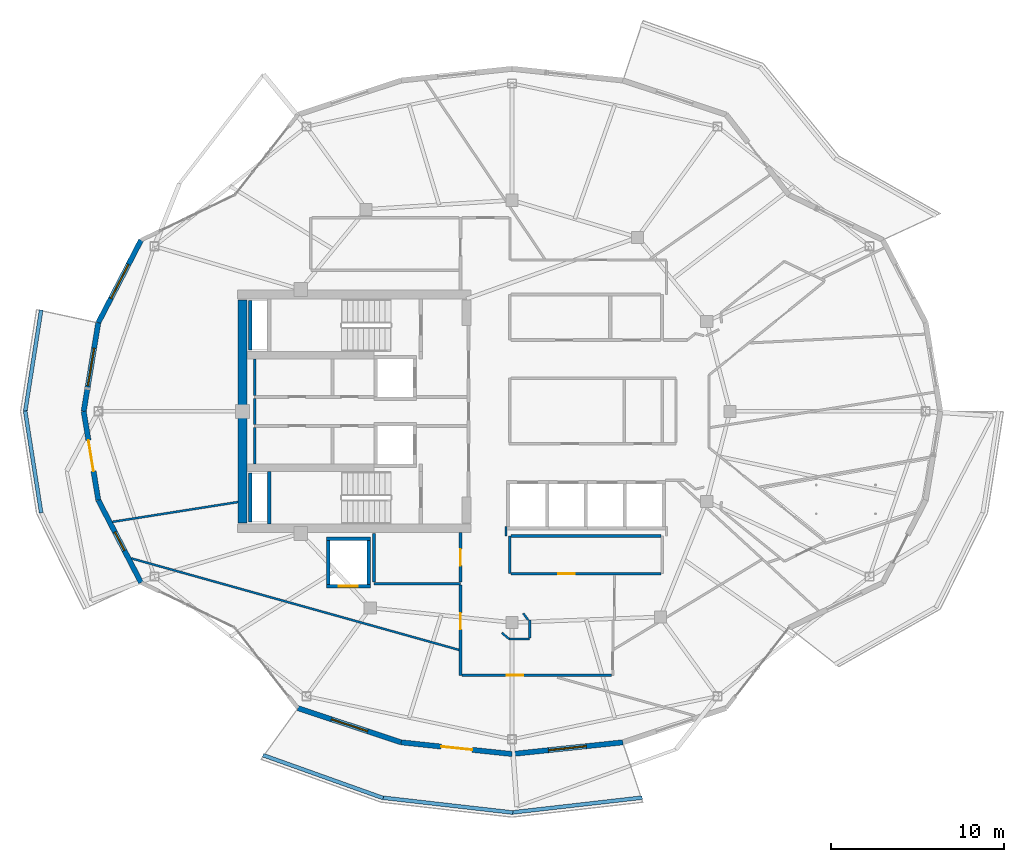
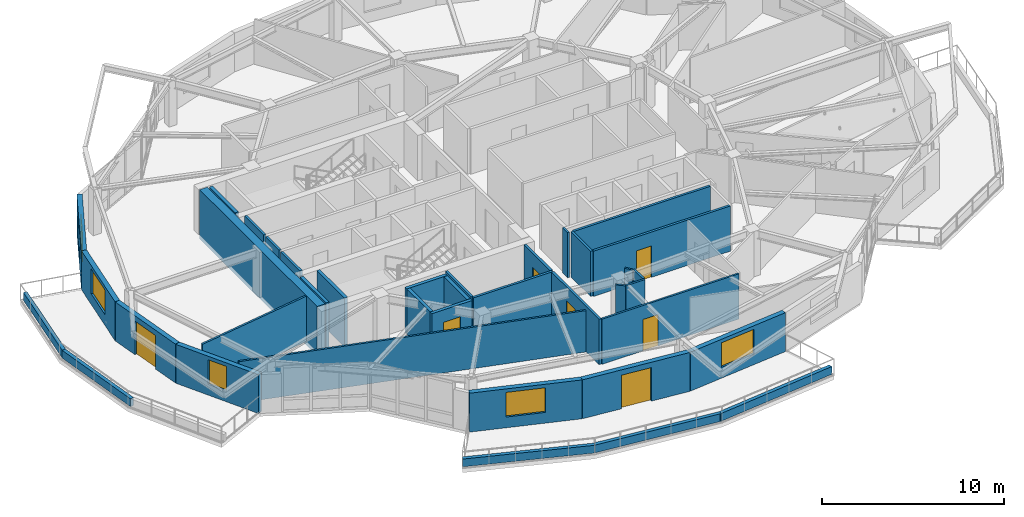
# One storey, part 7 of 16: 38 walls, 7 doors, 5 windows, 12 openings.
"""IFC4 building model written with IfcOpenShell, lengths in metres."""

from ifc_helpers import new_model, si_unit, direction, frame, frame_2d, origin, place, context, subcontext, project, spatial, rectangle, extrude, material, layer, layer_set, type_object, element, fill, save


model = new_model("IFC4")

# Units and contexts
model_context = context("Model", 3, precision=1e-05, world=origin(), true_north=direction((0.0, 1.0)))
body_context = subcontext(model_context, "Body", "Model", "MODEL_VIEW")
ifc_project = project(units=[si_unit("LENGTHUNIT", "METRE"), si_unit("AREAUNIT", "SQUARE_METRE"), si_unit("VOLUMEUNIT", "CUBIC_METRE"), si_unit("PLANEANGLEUNIT", "RADIAN"), si_unit("MASSUNIT", "GRAM", prefix="KILO")], contexts=[model_context])

# Site, building, storey
site_placement = place(None, origin())
site = spatial("IfcSite", under=ifc_project, at=site_placement, CompositionType="ELEMENT")
building_placement = place(site_placement, origin())
building = spatial("IfcBuilding", under=site, at=building_placement, Name="Kolvaren Gate Tower and Convention Centre", CompositionType="ELEMENT")
storey_placement = place(building_placement, frame((0.0, 0.0, 219.5)))
storey = spatial("IfcBuildingStorey", under=building, at=storey_placement, Name="L58", CompositionType="ELEMENT", Elevation=219.5)

# Wall
ifc_material_1 = material(Name="Fire-Rated Acoustic Gypsum Stud Partition", Category="gypsum")
ifc_layer_1 = layer(ifc_material_1, 0.1201171875)
ifc_layer_set_1 = layer_set([ifc_layer_1], Name="Fire-Rated Acoustic Gypsum Stud Partition")
wall_type_1 = type_object("IfcWallType", Name="ARCH-WL-PART-120", PredefinedType="PARTITIONING", material=ifc_layer_set_1)
wall_1_placement = place(storey_placement, frame((29.780029296875, 19.800048828125, 0.0), z_axis=(0.0, 0.0, 1.0), x_axis=(0.0, 1.0, 0.0)))
element("IfcWall", 1, at=wall_1_placement, inside=storey, type_object=wall_type_1, Name="Interior Partition WL-L58-INT-048", PredefinedType="PARTITIONING", context=body_context, shape_type="SweptSolid", body=[
    extrude(rectangle(XDim=0.56005859375, YDim=0.1201171875, at=frame_2d((0.280029296875, 0.0))), origin(), (0.0, 0.0, 1.0), 3.030029296875),
])

# Wall, opening, door
wall_2_placement = place(storey_placement, frame((27.22705078125, 11.75, 0.0), z_axis=(0.0, 0.0, 1.0), x_axis=(1.0, 0.0, 0.0)))
wall_2 = element("IfcWall", 2, at=wall_2_placement, inside=storey, type_object=wall_type_1, Name="Interior Partition WL-L58-INT-051", PredefinedType="PARTITIONING", context=body_context, shape_type="SweptSolid", body=[
    extrude(rectangle(XDim=8.660888671875, YDim=0.1201171875, at=frame_2d((4.33056640625, 0.0))), origin(), (0.0, 0.0, 1.0), 3.030029296875),
])
opening_1_placement = place(wall_2_placement, frame((2.601806640625, 0.0, 0.0)))
opening_1 = element("IfcOpeningElement", 3, at=opening_1_placement, cuts=wall_2, Name="Opening DR-01", PredefinedType="OPENING", context=body_context, shape_type="SweptSolid", body=[
    extrude(rectangle(XDim=0.949951171875, YDim=2.10009765625, at=frame_2d((0.47509765625, 1.050048828125))), frame((0.0, 0.070068359375, 0.0), z_axis=(0.0, -1.0, 0.0), x_axis=(1.0, 0.0, 0.0)), (0.0, 0.0, 1.0), 0.14013671875),
])
ifc_material_2 = material(Name="Painted Architectural Steelwork ASTM A500 Grade C 345 MPa", Category="steel")
door_type_1 = type_object("IfcDoorType", Name="ARCH-DR-RISER-950", OperationType="SINGLE_SWING_RIGHT", PredefinedType="DOOR", material=ifc_material_2)
door_1_placement = place(opening_1_placement, origin())
door_1 = element("IfcDoor", 4, at=door_1_placement, inside=storey, type_object=door_type_1, Name="Resident Private Study and Home Office Door", OperationType="SINGLE_SWING_RIGHT", OverallHeight=2.10009765625, OverallWidth=0.949951171875, PredefinedType="DOOR", context=body_context, shape_type="SweptSolid", body=[
    extrude(rectangle(XDim=0.949951171875, YDim=2.10009765625, at=frame_2d((0.47509765625, 1.050048828125))), frame((0.0, 0.02490234375, 0.0), z_axis=(0.0, -1.0, 0.0), x_axis=(1.0, 0.0, 0.0)), (0.0, 0.0, 1.0), 0.050048828125),
])
fill(opening_1, door_1)

# Walls
wall_3_placement = place(storey_placement, frame((29.9599609375, 13.85009765625, 0.0), z_axis=(0.0, 0.0, 1.0), x_axis=(1.0, 0.0, 0.0)))
element("IfcWall", 5, at=wall_3_placement, inside=storey, type_object=wall_type_1, Name="Interior Partition WL-L58-INT-053", PredefinedType="PARTITIONING", context=body_context, shape_type="SweptSolid", body=[
    extrude(rectangle(XDim=1.18994140625, YDim=0.1201171875, at=frame_2d((0.594970703125, 0.0))), origin(), (0.0, 0.0, 1.0), 3.030029296875),
])
wall_4_placement = place(storey_placement, frame((31.14990234375, 13.912109375, 0.0), z_axis=(0.0, 0.0, 1.0), x_axis=(0.0, 1.0, 0.0)))
element("IfcWall", 6, at=wall_4_placement, inside=storey, type_object=wall_type_1, Name="Interior Partition WL-L58-INT-054", PredefinedType="PARTITIONING", context=body_context, shape_type="SweptSolid", body=[
    extrude(rectangle(XDim=1.037841796875, YDim=0.1201171875, at=frame_2d((0.51904296875, 0.0))), origin(), (0.0, 0.0, 1.0), 3.030029296875),
])
wall_5_placement = place(storey_placement, frame((30.77392578125, 15.3330078125, 0.0), z_axis=(0.0, 0.0, 1.0), x_axis=(0.595814974861, -0.803121731577, 0.0)))
element("IfcWall", 7, at=wall_5_placement, inside=storey, type_object=wall_type_1, Name="Interior Partition WL-L58-INT-055", PredefinedType="PARTITIONING", context=body_context, shape_type="SweptSolid", body=[
    extrude(rectangle(XDim=0.47705078125, YDim=0.1201171875, at=frame_2d((0.238525390625, 0.0))), origin(), (0.0, 0.0, 1.0), 3.030029296875),
])
wall_6_placement = place(storey_placement, frame((29.531005859375, 14.2060546875, 0.0), z_axis=(0.0, 0.0, 1.0), x_axis=(0.7695479554, -0.638589026166, 0.0)))
element("IfcWall", 8, at=wall_6_placement, inside=storey, type_object=wall_type_1, Name="Interior Partition WL-L58-INT-056", PredefinedType="PARTITIONING", context=body_context, shape_type="SweptSolid", body=[
    extrude(rectangle(XDim=0.557373046875, YDim=0.1201171875, at=frame_2d((0.27880859375, 0.0))), origin(), (0.0, 0.0, 1.0), 3.030029296875),
])
wall_7_placement = place(storey_placement, frame((7.041015625, 20.61669921875, 0.0), z_axis=(0.0, 0.0, 1.0), x_axis=(0.987780472541, 0.155851654036, 0.0)))
element("IfcWall", 9, at=wall_7_placement, inside=storey, type_object=wall_type_1, Name="Interior Partition WL-L58-INT-057", PredefinedType="PARTITIONING", context=body_context, shape_type="SweptSolid", body=[
    extrude(rectangle(XDim=7.346923828125, YDim=0.1201171875, at=frame_2d((3.67333984375, 0.0))), origin(), (0.0, 0.0, 1.0), 3.030029296875),
])
wall_8_placement = place(storey_placement, frame((8.13525390625, 18.503662109375, 0.0), z_axis=(0.0, 0.0, 1.0), x_axis=(0.963142154711, -0.268992917785, 0.0)))
element("IfcWall", 10, at=wall_8_placement, inside=storey, type_object=wall_type_1, Name="Interior Partition WL-L58-INT-059", PredefinedType="PARTITIONING", context=body_context, shape_type="SweptSolid", body=[
    extrude(rectangle(XDim=19.662353515625, YDim=0.1201171875, at=frame_2d((9.8310546875, 0.0))), origin(), (0.0, 0.0, 1.0), 2.77001953125),
])
ifc_material_3 = material(Name="Piedmont Cream Honed Limestone Cladding", Category="masonry")
ifc_layer_2 = layer(ifc_material_3, 0.219970703125)
ifc_layer_set_2 = layer_set([ifc_layer_2], Name="Piedmont Cream Honed Limestone Cladding")
wall_type_2 = type_object("IfcWallType", Name="ARCH-WL-PLANTER-220", PredefinedType="PARAPET", material=ifc_layer_set_2)
for number, where, z_axis, x_axis, name in (
    (11, (1.993408203125, 26.970703125, 0.0), (0.0, 0.0, 1.0), (0.1550711793, 0.987903299595, 0.0), "Vertical-Forest Balcony Stone Planter Kerb PK-L58-2.1"),
    (12, (1.993408203125, 27.029296875, 0.0), (0.0, 0.0, 1.0), (0.1550711793, -0.987903299595, 0.0), "Vertical-Forest Balcony Stone Planter Kerb PK-L58-2.2"),
):
    element("IfcWall", number, at=place(storey_placement, frame(where, z_axis=z_axis, x_axis=x_axis)), inside=storey, type_object=wall_type_2, Name=name, PredefinedType="PARAPET", context=body_context, shape_type="SweptSolid", body=[
        extrude(rectangle(XDim=5.963623046875, YDim=0.219970703125, at=frame_2d((2.98193359375, 0.0))), origin(), (0.0, 0.0, 1.0), 0.52001953125),
    ])
wall_9_placement = place(storey_placement, frame((15.73681640625, 7.133544921875, 0.0), z_axis=(0.0, 0.0, 1.0), x_axis=(0.941780086523, -0.336229488042, 0.0)))
element("IfcWall", 13, at=wall_9_placement, inside=storey, type_object=wall_type_2, Name="Vertical-Forest Balcony Stone Planter Kerb PK-L58-3.1", PredefinedType="PARAPET", context=body_context, shape_type="SweptSolid", body=[
    extrude(rectangle(XDim=7.3779296875, YDim=0.219970703125, at=frame_2d((3.68896484375, 0.0))), origin(), (0.0, 0.0, 1.0), 0.52001953125),
])
for number, where, z_axis, x_axis, name in (
    (14, (22.602294921875, 4.680419921875, 0.0), (0.0, 0.0, 1.0), (0.993546198781, -0.113428175021, 0.0), "Vertical-Forest Balcony Stone Planter Kerb PK-L58-3.2"),
    (15, (30.07958984375, 3.81640625, 0.0), (0.0, 0.0, 1.0), (0.993546198781, 0.113428175021, 0.0), "Vertical-Forest Balcony Stone Planter Kerb PK-L58-3.3"),
):
    element("IfcWall", number, at=place(storey_placement, frame(where, z_axis=z_axis, x_axis=x_axis)), inside=storey, type_object=wall_type_2, Name=name, PredefinedType="PARAPET", context=body_context, shape_type="SweptSolid", body=[
        extrude(rectangle(XDim=7.6171875, YDim=0.219970703125, at=frame_2d((3.80859375, 0.0))), origin(), (0.0, 0.0, 1.0), 0.52001953125),
    ])
ifc_material_4 = material(Name="Autoclaved Aerated Masonry Blockwork Class 4 (4.0 MPa)", Category="masonry")
ifc_layer_3 = layer(ifc_material_4, 0.199951171875)
ifc_layer_set_3 = layer_set([ifc_layer_3], Name="Autoclaved Aerated Masonry Blockwork Class 4 (4.0 MPa)")
wall_type_3 = type_object("IfcWallType", Name="ARCH-WL-SHAFT-200", PredefinedType="SOLIDWALL", material=ifc_layer_set_3)
wall_10_placement = place(storey_placement, frame((19.39990234375, 19.64990234375, 0.0), z_axis=(0.0, 0.0, 1.0), x_axis=(1.0, 0.0, 0.0)))
element("IfcWall", 16, at=wall_10_placement, inside=storey, type_object=wall_type_3, Name="Elevator SV-01 L58 Fire Shaft Wall N", PredefinedType="SOLIDWALL", context=body_context, shape_type="SweptSolid", body=[
    extrude(rectangle(XDim=2.550048828125, YDim=0.199951171875, at=frame_2d((1.27490234375, 0.0))), origin(), (0.0, 0.0, 1.0), 3.030029296875),
])

# Wall, opening, door
wall_11_placement = place(storey_placement, frame((19.39990234375, 16.89990234375, 0.0), z_axis=(0.0, 0.0, 1.0), x_axis=(1.0, 0.0, 0.0)))
wall_11 = element("IfcWall", 17, at=wall_11_placement, inside=storey, type_object=wall_type_3, Name="Elevator SV-01 L58 Fire Shaft Wall S", PredefinedType="SOLIDWALL", context=body_context, shape_type="SweptSolid", body=[
    extrude(rectangle(XDim=2.550048828125, YDim=0.199951171875, at=frame_2d((1.27490234375, 0.0))), origin(), (0.0, 0.0, 1.0), 3.030029296875),
])
opening_2_placement = place(wall_11_placement, frame((0.72509765625, 0.0, 0.0)))
opening_2 = element("IfcOpeningElement", 18, at=opening_2_placement, cuts=wall_11, Name="Opening LD", PredefinedType="OPENING", context=body_context, shape_type="SweptSolid", body=[
    extrude(rectangle(XDim=1.10009765625, YDim=2.199951171875, at=frame_2d((0.550048828125, 1.10009765625))), frame((0.0, 0.10986328125, 0.0), z_axis=(0.0, -1.0, 0.0), x_axis=(1.0, 0.0, 0.0)), (0.0, 0.0, 1.0), 0.219970703125),
])
ifc_material_5 = material(Name="Brushed Stainless Steel Grade 316L", Category="steel")
door_type_2 = type_object("IfcDoorType", Name="ARCH-DR-LIFT-1100", OperationType="SLIDING_TO_LEFT", PredefinedType="DOOR", material=ifc_material_5)
door_2_placement = place(opening_2_placement, origin())
door_2 = element("IfcDoor", 19, at=door_2_placement, inside=storey, type_object=door_type_2, Name="Elevator SV-01 L58 Sliding Landing Door", OperationType="SLIDING_TO_LEFT", OverallHeight=2.199951171875, OverallWidth=1.10009765625, PredefinedType="DOOR", context=body_context, shape_type="SweptSolid", body=[
    extrude(rectangle(XDim=1.10009765625, YDim=2.199951171875, at=frame_2d((0.550048828125, 1.10009765625))), frame((0.0, 0.02490234375, 0.0), z_axis=(0.0, -1.0, 0.0), x_axis=(1.0, 0.0, 0.0)), (0.0, 0.0, 1.0), 0.050048828125),
])
fill(opening_2, door_2)

# Walls
for number, where, z_axis, x_axis, name in (
    (20, (19.5, 17.010009765625, 0.0), (0.0, 0.0, 1.0), (0.0, 1.0, 0.0), "Elevator SV-01 L58 Fire Shaft Wall W"),
    (21, (21.85009765625, 17.010009765625, 0.0), (0.0, 0.0, 1.0), (0.0, 1.0, 0.0), "Elevator SV-01 L58 Fire Shaft Wall E"),
):
    element("IfcWall", number, at=place(storey_placement, frame(where, z_axis=z_axis, x_axis=x_axis)), inside=storey, type_object=wall_type_3, Name=name, PredefinedType="SOLIDWALL", context=body_context, shape_type="SweptSolid", body=[
        extrude(rectangle(XDim=2.530029296875, YDim=0.199951171875, at=frame_2d((1.26513671875, 0.0))), origin(), (0.0, 0.0, 1.0), 3.030029296875),
    ])
for number, where, z_axis, x_axis, name in (
    (22, (14.989990234375, 30.550048828125, 0.0), (0.0, 0.0, 1.0), (0.0, 1.0, 0.0), "Vertical Shaft HVR L58 EI-120 Enclosure Wall W"),
    (23, (14.989990234375, 20.60009765625, 0.0), (0.0, 0.0, 1.0), (0.0, 1.0, 0.0), "Vertical Shaft MPR L58 EI-120 Enclosure Wall W"),
):
    element("IfcWall", number, at=place(storey_placement, frame(where, z_axis=z_axis, x_axis=x_axis)), inside=storey, type_object=wall_type_3, Name=name, PredefinedType="SOLIDWALL", context=body_context, shape_type="SweptSolid", body=[
        extrude(rectangle(XDim=2.849853515625, YDim=0.199951171875, at=frame_2d((1.4248046875, 0.0))), origin(), (0.0, 0.0, 1.0), 3.030029296875),
    ])

# Wall, opening, window
ifc_layer_4 = layer(ifc_material_3, 0.300048828125)
ifc_layer_set_4 = layer_set([ifc_layer_4], Name="Piedmont Cream Honed Limestone Cladding")
wall_type_4 = type_object("IfcWallType", Name="ARCH-WL-STONE-300", PredefinedType="SOLIDWALL", material=ifc_layer_set_4)
wall_12_placement = place(storey_placement, frame((6.21826171875, 32.12451171875, 0.0), z_axis=(0.0, 0.0, 1.0), x_axis=(0.459808219482, 0.888018243786, 0.0)))
wall_12 = element("IfcWall", 24, at=wall_12_placement, inside=storey, type_object=wall_type_4, Name="Tower L58 Honed Stone Spandrel Wall EW-10", PredefinedType="SOLIDWALL", context=body_context, shape_type="SweptSolid", body=[
    extrude(rectangle(XDim=5.377685546875, YDim=0.300048828125, at=frame_2d((2.68896484375, 0.0))), origin(), (0.0, 0.0, 1.0), 2.60498046875),
])
opening_3_placement = place(wall_12_placement, frame((1.589111328125, 0.0, 0.719970703125)))
opening_3 = element("IfcOpeningElement", 25, at=opening_3_placement, cuts=wall_12, Name="Opening W-03", PredefinedType="OPENING", context=body_context, shape_type="SweptSolid", body=[
    extrude(rectangle(XDim=2.199951171875, YDim=1.64990234375, at=frame_2d((1.10009765625, 0.824951171875))), frame((0.0, 0.159912109375, 0.0), z_axis=(0.0, -1.0, 0.0), x_axis=(1.0, 0.0, 0.0)), (0.0, 0.0, 1.0), 0.320068359375),
])
ifc_material_6 = material(Name="Low-E Triple Insulated Glazing Unit 44 mm", Category="glass")
window_type_1 = type_object("IfcWindowType", Name="ARCH-WN-RES-2200", PartitioningType="SINGLE_PANEL", PredefinedType="WINDOW", material=ifc_material_6)
window_1_placement = place(opening_3_placement, origin())
window_1 = element("IfcWindow", 26, at=window_1_placement, inside=storey, type_object=window_type_1, Name="Tower L58 Punched Stone Facade Window W-10", OverallHeight=1.64990234375, OverallWidth=2.199951171875, PartitioningType="SINGLE_PANEL", PredefinedType="WINDOW", context=body_context, shape_type="SweptSolid", body=[
    extrude(rectangle(XDim=2.199951171875, YDim=1.64990234375, at=frame_2d((1.10009765625, 0.824951171875))), frame((0.0, 0.030029296875, 0.0), z_axis=(0.0, -1.0, 0.0), x_axis=(1.0, 0.0, 0.0)), (0.0, 0.0, 1.0), 0.06005859375),
])
fill(opening_3, window_1)

wall_13_placement = place(storey_placement, frame((5.375, 27.0, 0.0), z_axis=(0.0, 0.0, 1.0), x_axis=(0.16237087798, 0.986729799886, 0.0)))
wall_13 = element("IfcWall", 27, at=wall_13_placement, inside=storey, type_object=wall_type_4, Name="Tower L58 Honed Stone Spandrel Wall EW-11", PredefinedType="SOLIDWALL", context=body_context, shape_type="SweptSolid", body=[
    extrude(rectangle(XDim=5.193359375, YDim=0.300048828125, at=frame_2d((2.5966796875, 0.0))), origin(), (0.0, 0.0, 1.0), 2.60498046875),
])
opening_4_placement = place(wall_13_placement, frame((1.4970703125, 0.0, 0.719970703125)))
opening_4 = element("IfcOpeningElement", 28, at=opening_4_placement, cuts=wall_13, Name="Opening W-03", PredefinedType="OPENING", context=body_context, shape_type="SweptSolid", body=[
    extrude(rectangle(XDim=2.199951171875, YDim=1.64990234375, at=frame_2d((1.10009765625, 0.824951171875))), frame((0.0, 0.159912109375, 0.0), z_axis=(0.0, -1.0, 0.0), x_axis=(1.0, 0.0, 0.0)), (0.0, 0.0, 1.0), 0.320068359375),
])
window_2_placement = place(opening_4_placement, origin())
window_2 = element("IfcWindow", 29, at=window_2_placement, inside=storey, type_object=window_type_1, Name="Tower L58 Punched Stone Facade Window W-11", OverallHeight=1.64990234375, OverallWidth=2.199951171875, PartitioningType="SINGLE_PANEL", PredefinedType="WINDOW", context=body_context, shape_type="SweptSolid", body=[
    extrude(rectangle(XDim=2.199951171875, YDim=1.64990234375, at=frame_2d((1.10009765625, 0.824951171875))), frame((0.0, 0.030029296875, 0.0), z_axis=(0.0, -1.0, 0.0), x_axis=(1.0, 0.0, 0.0)), (0.0, 0.0, 1.0), 0.06005859375),
])
fill(opening_4, window_2)

# Wall, opening, door
wall_14_placement = place(storey_placement, frame((5.375, 27.0, 0.0), z_axis=(0.0, 0.0, 1.0), x_axis=(0.16237087798, -0.986729799886, 0.0)))
wall_14 = element("IfcWall", 30, at=wall_14_placement, inside=storey, type_object=wall_type_4, Name="Tower L58 Honed Stone Spandrel Wall EW-12", PredefinedType="SOLIDWALL", context=body_context, shape_type="SweptSolid", body=[
    extrude(rectangle(XDim=5.193359375, YDim=0.300048828125, at=frame_2d((2.5966796875, 0.0))), origin(), (0.0, 0.0, 1.0), 2.60498046875),
])
opening_5_placement = place(wall_14_placement, frame((1.697021484375, 0.0, 0.0)))
opening_5 = element("IfcOpeningElement", 31, at=opening_5_placement, cuts=wall_14, Name="Opening DB-01", PredefinedType="OPENING", context=body_context, shape_type="SweptSolid", body=[
    extrude(rectangle(XDim=1.800048828125, YDim=2.25, at=frame_2d((0.89990234375, 1.125))), frame((0.0, 0.159912109375, 0.0), z_axis=(0.0, -1.0, 0.0), x_axis=(1.0, 0.0, 0.0)), (0.0, 0.0, 1.0), 0.320068359375),
])
ifc_material_7 = material(Name="Anodized Architectural Aluminium Alloy 6063-T6", Category="aluminium")
door_type_3 = type_object("IfcDoorType", Name="ARCH-DR-BALC-1800", OperationType="SLIDING_TO_LEFT", PredefinedType="DOOR", material=ifc_material_7)
door_3_placement = place(opening_5_placement, frame((1.800048828125, 0.0, 0.0), z_axis=(0.0, 0.0, 1.0), x_axis=(-1.0, 0.0, 0.0)))
door_3 = element("IfcDoor", 32, at=door_3_placement, inside=storey, type_object=door_type_3, Name="Planted Sky Terrace Access Door DB-L58-12", OperationType="SLIDING_TO_LEFT", OverallHeight=2.25, OverallWidth=1.800048828125, PredefinedType="DOOR", context=body_context, shape_type="SweptSolid", body=[
    extrude(rectangle(XDim=1.800048828125, YDim=2.25, at=frame_2d((0.89990234375, 1.125))), frame((0.0, 0.02490234375, 0.0), z_axis=(0.0, -1.0, 0.0), x_axis=(1.0, 0.0, 0.0)), (0.0, 0.0, 1.0), 0.050048828125),
])
fill(opening_5, door_3)

# Wall, opening, window
wall_15_placement = place(storey_placement, frame((6.21826171875, 21.87548828125, 0.0), z_axis=(0.0, 0.0, 1.0), x_axis=(0.459808219482, -0.888018243786, 0.0)))
wall_15 = element("IfcWall", 33, at=wall_15_placement, inside=storey, type_object=wall_type_4, Name="Tower L58 Honed Stone Spandrel Wall EW-13", PredefinedType="SOLIDWALL", context=body_context, shape_type="SweptSolid", body=[
    extrude(rectangle(XDim=5.377685546875, YDim=0.300048828125, at=frame_2d((2.68896484375, 0.0))), origin(), (0.0, 0.0, 1.0), 2.60498046875),
])
opening_6_placement = place(wall_15_placement, frame((2.089111328125, 0.0, 0.719970703125)))
opening_6 = element("IfcOpeningElement", 34, at=opening_6_placement, cuts=wall_15, Name="Opening W-04", PredefinedType="OPENING", context=body_context, shape_type="SweptSolid", body=[
    extrude(rectangle(XDim=1.199951171875, YDim=1.64990234375, at=frame_2d((0.60009765625, 0.824951171875))), frame((0.0, 0.159912109375, 0.0), z_axis=(0.0, -1.0, 0.0), x_axis=(1.0, 0.0, 0.0)), (0.0, 0.0, 1.0), 0.320068359375),
])
window_type_2 = type_object("IfcWindowType", Name="ARCH-WN-NARROW-1200", PartitioningType="SINGLE_PANEL", PredefinedType="WINDOW", material=ifc_material_6)
window_3_placement = place(opening_6_placement, origin())
window_3 = element("IfcWindow", 35, at=window_3_placement, inside=storey, type_object=window_type_2, Name="Tower L58 Punched Stone Facade Window W-13", OverallHeight=1.64990234375, OverallWidth=1.199951171875, PartitioningType="SINGLE_PANEL", PredefinedType="WINDOW", context=body_context, shape_type="SweptSolid", body=[
    extrude(rectangle(XDim=1.199951171875, YDim=1.64990234375, at=frame_2d((0.60009765625, 0.824951171875))), frame((0.0, 0.030029296875, 0.0), z_axis=(0.0, -1.0, 0.0), x_axis=(1.0, 0.0, 0.0)), (0.0, 0.0, 1.0), 0.06005859375),
])
fill(opening_6, window_3)

wall_16_placement = place(storey_placement, frame((17.75, 9.852783203125, 0.0), z_axis=(0.0, 0.0, 1.0), x_axis=(0.949240877604, -0.314550085495, 0.0)))
wall_16 = element("IfcWall", 36, at=wall_16_placement, inside=storey, type_object=wall_type_4, Name="Tower L58 Honed Stone Spandrel Wall EW-16", PredefinedType="SOLIDWALL", context=body_context, shape_type="SweptSolid", body=[
    extrude(rectangle(XDim=6.288330078125, YDim=0.300048828125, at=frame_2d((3.14404296875, 0.0))), origin(), (0.0, 0.0, 1.0), 2.60498046875),
])
opening_7_placement = place(wall_16_placement, frame((2.0439453125, 0.0, 0.719970703125)))
opening_7 = element("IfcOpeningElement", 37, at=opening_7_placement, cuts=wall_16, Name="Opening W-03", PredefinedType="OPENING", context=body_context, shape_type="SweptSolid", body=[
    extrude(rectangle(XDim=2.199951171875, YDim=1.64990234375, at=frame_2d((1.10009765625, 0.824951171875))), frame((0.0, 0.159912109375, 0.0), z_axis=(0.0, -1.0, 0.0), x_axis=(1.0, 0.0, 0.0)), (0.0, 0.0, 1.0), 0.320068359375),
])
window_4_placement = place(opening_7_placement, origin())
window_4 = element("IfcWindow", 38, at=window_4_placement, inside=storey, type_object=window_type_1, Name="Tower L58 Punched Stone Facade Window W-16", OverallHeight=1.64990234375, OverallWidth=2.199951171875, PartitioningType="SINGLE_PANEL", PredefinedType="WINDOW", context=body_context, shape_type="SweptSolid", body=[
    extrude(rectangle(XDim=2.199951171875, YDim=1.64990234375, at=frame_2d((1.10009765625, 0.824951171875))), frame((0.0, 0.030029296875, 0.0), z_axis=(0.0, -1.0, 0.0), x_axis=(1.0, 0.0, 0.0)), (0.0, 0.0, 1.0), 0.06005859375),
])
fill(opening_7, window_4)

# Wall, opening, door
wall_17_placement = place(storey_placement, frame((23.71923828125, 7.874755859375, 0.0), z_axis=(0.0, 0.0, 1.0), x_axis=(0.994497142298, -0.104763705363, 0.0)))
wall_17 = element("IfcWall", 39, at=wall_17_placement, inside=storey, type_object=wall_type_4, Name="Tower L58 Honed Stone Spandrel Wall EW-17", PredefinedType="SOLIDWALL", context=body_context, shape_type="SweptSolid", body=[
    extrude(rectangle(XDim=6.441162109375, YDim=0.300048828125, at=frame_2d((3.220703125, 0.0))), origin(), (0.0, 0.0, 1.0), 2.60498046875),
])
opening_8_placement = place(wall_17_placement, frame((2.321044921875, 0.0, 0.0)))
opening_8 = element("IfcOpeningElement", 40, at=opening_8_placement, cuts=wall_17, Name="Opening DB-01", PredefinedType="OPENING", context=body_context, shape_type="SweptSolid", body=[
    extrude(rectangle(XDim=1.800048828125, YDim=2.25, at=frame_2d((0.89990234375, 1.125))), frame((0.0, 0.159912109375, 0.0), z_axis=(0.0, -1.0, 0.0), x_axis=(1.0, 0.0, 0.0)), (0.0, 0.0, 1.0), 0.320068359375),
])
door_4_placement = place(opening_8_placement, frame((1.800048828125, 0.0, 0.0), z_axis=(0.0, 0.0, 1.0), x_axis=(-1.0, 0.0, 0.0)))
door_4 = element("IfcDoor", 41, at=door_4_placement, inside=storey, type_object=door_type_3, Name="Planted Sky Terrace Access Door DB-L58-17", OperationType="SLIDING_TO_LEFT", OverallHeight=2.25, OverallWidth=1.800048828125, PredefinedType="DOOR", context=body_context, shape_type="SweptSolid", body=[
    extrude(rectangle(XDim=1.800048828125, YDim=2.25, at=frame_2d((0.89990234375, 1.125))), frame((0.0, 0.02490234375, 0.0), z_axis=(0.0, -1.0, 0.0), x_axis=(1.0, 0.0, 0.0)), (0.0, 0.0, 1.0), 0.050048828125),
])
fill(opening_8, door_4)

# Wall, opening, window
wall_18_placement = place(storey_placement, frame((30.125, 7.199951171875, 0.0), z_axis=(0.0, 0.0, 1.0), x_axis=(0.994497142298, 0.104763705363, 0.0)))
wall_18 = element("IfcWall", 42, at=wall_18_placement, inside=storey, type_object=wall_type_4, Name="Tower L58 Honed Stone Spandrel Wall EW-18", PredefinedType="SOLIDWALL", context=body_context, shape_type="SweptSolid", body=[
    extrude(rectangle(XDim=6.441162109375, YDim=0.300048828125, at=frame_2d((3.220703125, 0.0))), origin(), (0.0, 0.0, 1.0), 2.60498046875),
])
opening_9_placement = place(wall_18_placement, frame((2.12109375, 0.0, 0.719970703125)))
opening_9 = element("IfcOpeningElement", 43, at=opening_9_placement, cuts=wall_18, Name="Opening W-03", PredefinedType="OPENING", context=body_context, shape_type="SweptSolid", body=[
    extrude(rectangle(XDim=2.199951171875, YDim=1.64990234375, at=frame_2d((1.10009765625, 0.824951171875))), frame((0.0, 0.159912109375, 0.0), z_axis=(0.0, -1.0, 0.0), x_axis=(1.0, 0.0, 0.0)), (0.0, 0.0, 1.0), 0.320068359375),
])
window_5_placement = place(opening_9_placement, origin())
window_5 = element("IfcWindow", 44, at=window_5_placement, inside=storey, type_object=window_type_1, Name="Tower L58 Punched Stone Facade Window W-18", OverallHeight=1.64990234375, OverallWidth=2.199951171875, PartitioningType="SINGLE_PANEL", PredefinedType="WINDOW", context=body_context, shape_type="SweptSolid", body=[
    extrude(rectangle(XDim=2.199951171875, YDim=1.64990234375, at=frame_2d((1.10009765625, 0.824951171875))), frame((0.0, 0.030029296875, 0.0), z_axis=(0.0, -1.0, 0.0), x_axis=(1.0, 0.0, 0.0)), (0.0, 0.0, 1.0), 0.06005859375),
])
fill(opening_9, window_5)

# Walls
ifc_material_8 = material(Name="Moisture-Resistant Cement-Board Acoustic Partition", Category="gypsum")
ifc_layer_5 = layer(ifc_material_8, 0.14990234375)
ifc_layer_set_5 = layer_set([ifc_layer_5], Name="Moisture-Resistant Cement-Board Acoustic Partition")
wall_type_5 = type_object("IfcWallType", Name="ARCH-WL-WET-150", PredefinedType="PARTITIONING", material=ifc_layer_set_5)
wall_19_placement = place(storey_placement, frame((15.25, 23.9619140625, 0.0), z_axis=(0.0, 0.0, 1.0), x_axis=(0.0, 1.0, 0.0)))
element("IfcWall", 45, at=wall_19_placement, inside=storey, type_object=wall_type_5, Name="Interior Partition WL-L58-INT-006", PredefinedType="PARTITIONING", context=body_context, shape_type="SweptSolid", body=[
    extrude(rectangle(XDim=2.106201171875, YDim=0.14990234375, at=frame_2d((1.05322265625, 0.0))), origin(), (0.0, 0.0, 1.0), 3.030029296875),
])
wall_20_placement = place(storey_placement, frame((15.25, 26.251953125, 0.0), z_axis=(0.0, 0.0, 1.0), x_axis=(0.0, 1.0, 0.0)))
element("IfcWall", 46, at=wall_20_placement, inside=storey, type_object=wall_type_5, Name="Interior Partition WL-L58-INT-006 (2)", PredefinedType="PARTITIONING", context=body_context, shape_type="SweptSolid", body=[
    extrude(rectangle(XDim=1.49609375, YDim=0.14990234375, at=frame_2d((0.748046875, 0.0))), origin(), (0.0, 0.0, 1.0), 3.030029296875),
])
wall_21_placement = place(storey_placement, frame((15.25, 27.931884765625, 0.0), z_axis=(0.0, 0.0, 1.0), x_axis=(0.0, 1.0, 0.0)))
element("IfcWall", 47, at=wall_21_placement, inside=storey, type_object=wall_type_5, Name="Interior Partition WL-L58-INT-006 (3)", PredefinedType="PARTITIONING", context=body_context, shape_type="SweptSolid", body=[
    extrude(rectangle(XDim=2.106201171875, YDim=0.14990234375, at=frame_2d((1.05322265625, 0.0))), origin(), (0.0, 0.0, 1.0), 3.030029296875),
])
wall_22_placement = place(storey_placement, frame((22.14990234375, 17.050048828125, 0.0), z_axis=(0.0, 0.0, 1.0), x_axis=(1.0, 0.0, 0.0)))
element("IfcWall", 48, at=wall_22_placement, inside=storey, type_object=wall_type_5, Name="Interior Partition WL-L58-INT-009", PredefinedType="PARTITIONING", context=body_context, shape_type="SweptSolid", body=[
    extrude(rectangle(XDim=5.0, YDim=0.14990234375, at=frame_2d((2.5, 0.0))), origin(), (0.0, 0.0, 1.0), 3.030029296875),
])
wall_23_placement = place(storey_placement, frame((22.14990234375, 17.126953125, 0.0), z_axis=(0.0, 0.0, 1.0), x_axis=(0.0, 1.0, 0.0)))
element("IfcWall", 49, at=wall_23_placement, inside=storey, type_object=wall_type_5, Name="Interior Partition WL-L58-INT-010", PredefinedType="PARTITIONING", context=body_context, shape_type="SweptSolid", body=[
    extrude(rectangle(XDim=2.822998046875, YDim=0.14990234375, at=frame_2d((1.41162109375, 0.0))), origin(), (0.0, 0.0, 1.0), 3.030029296875),
])

# Wall, opening, door
wall_24_placement = place(storey_placement, frame((27.14990234375, 11.75, 0.0), z_axis=(0.0, 0.0, 1.0), x_axis=(0.0, 1.0, 0.0)))
wall_24 = element("IfcWall", 50, at=wall_24_placement, inside=storey, type_object=wall_type_5, Name="Interior Partition WL-L58-INT-011", PredefinedType="PARTITIONING", context=body_context, shape_type="SweptSolid", body=[
    extrude(rectangle(XDim=5.222900390625, YDim=0.14990234375, at=frame_2d((2.611328125, 0.0))), origin(), (0.0, 0.0, 1.0), 3.030029296875),
])
opening_10_placement = place(wall_24_placement, frame((2.6484375, 0.0, 0.0)))
opening_10 = element("IfcOpeningElement", 51, at=opening_10_placement, cuts=wall_24, Name="Opening DR-01", PredefinedType="OPENING", context=body_context, shape_type="SweptSolid", body=[
    extrude(rectangle(XDim=0.949951171875, YDim=2.10009765625, at=frame_2d((0.47509765625, 1.050048828125))), frame((0.0, 0.0849609375, 0.0), z_axis=(0.0, -1.0, 0.0), x_axis=(1.0, 0.0, 0.0)), (0.0, 0.0, 1.0), 0.169921875),
])
door_5_placement = place(opening_10_placement, origin())
door_5 = element("IfcDoor", 52, at=door_5_placement, inside=storey, type_object=door_type_1, Name="Resident Private Study Door", OperationType="SINGLE_SWING_LEFT", OverallHeight=2.10009765625, OverallWidth=0.949951171875, PredefinedType="DOOR", context=body_context, shape_type="SweptSolid", body=[
    extrude(rectangle(XDim=0.949951171875, YDim=2.10009765625, at=frame_2d((0.47509765625, 1.050048828125))), frame((0.0, 0.02490234375, 0.0), z_axis=(0.0, -1.0, 0.0), x_axis=(1.0, 0.0, 0.0)), (0.0, 0.0, 1.0), 0.050048828125),
])
fill(opening_10, door_5)

wall_25_placement = place(storey_placement, frame((27.14990234375, 17.126953125, 0.0), z_axis=(0.0, 0.0, 1.0), x_axis=(0.0, 1.0, 0.0)))
wall_25 = element("IfcWall", 53, at=wall_25_placement, inside=storey, type_object=wall_type_5, Name="Interior Partition WL-L58-INT-011 (2)", PredefinedType="PARTITIONING", context=body_context, shape_type="SweptSolid", body=[
    extrude(rectangle(XDim=2.87109375, YDim=0.14990234375, at=frame_2d((1.435546875, 0.0))), origin(), (0.0, 0.0, 1.0), 3.030029296875),
])
opening_11_placement = place(wall_25_placement, frame((0.96044921875, 0.0, 0.0)))
opening_11 = element("IfcOpeningElement", 54, at=opening_11_placement, cuts=wall_25, Name="Opening DR-01", PredefinedType="OPENING", context=body_context, shape_type="SweptSolid", body=[
    extrude(rectangle(XDim=0.949951171875, YDim=2.10009765625, at=frame_2d((0.47509765625, 1.050048828125))), frame((0.0, 0.0849609375, 0.0), z_axis=(0.0, -1.0, 0.0), x_axis=(1.0, 0.0, 0.0)), (0.0, 0.0, 1.0), 0.169921875),
])
door_6_placement = place(opening_11_placement, origin())
door_6 = element("IfcDoor", 55, at=door_6_placement, inside=storey, type_object=door_type_1, Name="West Linen and Supply Store Door", OperationType="SINGLE_SWING_RIGHT", OverallHeight=2.10009765625, OverallWidth=0.949951171875, PredefinedType="DOOR", context=body_context, shape_type="SweptSolid", body=[
    extrude(rectangle(XDim=0.949951171875, YDim=2.10009765625, at=frame_2d((0.47509765625, 1.050048828125))), frame((0.0, 0.02490234375, 0.0), z_axis=(0.0, -1.0, 0.0), x_axis=(1.0, 0.0, 0.0)), (0.0, 0.0, 1.0), 0.050048828125),
])
fill(opening_11, door_6)

# Wall
wall_26_placement = place(storey_placement, frame((30.0, 17.6201171875, 0.0), z_axis=(0.0, 0.0, 1.0), x_axis=(0.0, 1.0, 0.0)))
element("IfcWall", 56, at=wall_26_placement, inside=storey, type_object=wall_type_5, Name="Interior Partition WL-L58-INT-014", PredefinedType="PARTITIONING", context=body_context, shape_type="SweptSolid", body=[
    extrude(rectangle(XDim=2.179931640625, YDim=0.14990234375, at=frame_2d((1.08984375, 0.0))), origin(), (0.0, 0.0, 1.0), 3.030029296875),
])

# Wall, opening, door
wall_27_placement = place(storey_placement, frame((30.076904296875, 17.6201171875, 0.0), z_axis=(0.0, 0.0, 1.0), x_axis=(1.0, 0.0, 0.0)))
wall_27 = element("IfcWall", 57, at=wall_27_placement, inside=storey, type_object=wall_type_5, Name="Interior Partition WL-L58-INT-026", PredefinedType="PARTITIONING", context=body_context, shape_type="SweptSolid", body=[
    extrude(rectangle(XDim=8.64599609375, YDim=0.14990234375, at=frame_2d((4.322998046875, 0.0))), origin(), (0.0, 0.0, 1.0), 3.030029296875),
])
opening_12_placement = place(wall_27_placement, frame((2.716552734375, 0.0, 0.0)))
opening_12 = element("IfcOpeningElement", 58, at=opening_12_placement, cuts=wall_27, Name="Opening DR-01", PredefinedType="OPENING", context=body_context, shape_type="SweptSolid", body=[
    extrude(rectangle(XDim=0.949951171875, YDim=2.10009765625, at=frame_2d((0.47509765625, 1.050048828125))), frame((0.0, 0.0849609375, 0.0), z_axis=(0.0, -1.0, 0.0), x_axis=(1.0, 0.0, 0.0)), (0.0, 0.0, 1.0), 0.169921875),
])
door_7_placement = place(opening_12_placement, origin())
door_7 = element("IfcDoor", 59, at=door_7_placement, inside=storey, type_object=door_type_1, Name="Resident Luggage Store Door", OperationType="SINGLE_SWING_LEFT", OverallHeight=2.10009765625, OverallWidth=0.949951171875, PredefinedType="DOOR", context=body_context, shape_type="SweptSolid", body=[
    extrude(rectangle(XDim=0.949951171875, YDim=2.10009765625, at=frame_2d((0.47509765625, 1.050048828125))), frame((0.0, 0.02490234375, 0.0), z_axis=(0.0, -1.0, 0.0), x_axis=(1.0, 0.0, 0.0)), (0.0, 0.0, 1.0), 0.050048828125),
])
fill(opening_12, door_7)

# Walls
wall_28_placement = place(storey_placement, frame((30.076904296875, 19.800048828125, 0.0), z_axis=(0.0, 0.0, 1.0), x_axis=(1.0, 0.0, 0.0)))
element("IfcWall", 60, at=wall_28_placement, inside=storey, type_object=wall_type_5, Name="Interior Partition WL-L58-INT-027", PredefinedType="PARTITIONING", context=body_context, shape_type="SweptSolid", body=[
    extrude(rectangle(XDim=8.64599609375, YDim=0.14990234375, at=frame_2d((4.322998046875, 0.0))), origin(), (0.0, 0.0, 1.0), 3.030029296875),
])
ifc_material_9 = material(Name="Concrete C50/60", Category="concrete")
ifc_layer_6 = layer(ifc_material_9, 0.5)
ifc_layer_set_6 = layer_set([ifc_layer_6], Name="Concrete C50/60")
wall_type_6 = type_object("IfcWallType", Name="STR-WL-CORE-500", PredefinedType="SHEAR", material=ifc_layer_set_6)
wall_29_placement = place(storey_placement, frame((14.550048828125, 20.550048828125, -0.27001953125), z_axis=(0.0, 0.0, 1.0), x_axis=(0.0, 1.0, 0.0)))
element("IfcWall", 61, at=wall_29_placement, inside=storey, type_object=wall_type_6, Name="Tower L58 Offset Core Shear Wall W", PredefinedType="SHEAR", context=body_context, shape_type="SweptSolid", body=[
    extrude(rectangle(XDim=12.89990234375, YDim=0.5, at=frame_2d((6.449951171875, 0.0))), origin(), (0.0, 0.0, 1.0), 3.300048828125),
])
ifc_layer_7 = layer(ifc_material_9, 0.199951171875)
ifc_layer_set_7 = layer_set([ifc_layer_7], Name="Concrete C50/60")
wall_type_7 = type_object("IfcWallType", Name="STR-WL-SHAFT-200", PredefinedType="SHEAR", material=ifc_layer_set_7)
wall_30_placement = place(storey_placement, frame((16.10009765625, 20.501953125, -0.27001953125), z_axis=(0.0, 0.0, 1.0), x_axis=(0.0, 1.0, 0.0)))
element("IfcWall", 62, at=wall_30_placement, inside=storey, type_object=wall_type_7, Name="Tower South Exit Stair ST-T2 L58 Structural Shear Enclosure Wall FAR", PredefinedType="SHEAR", context=body_context, shape_type="SweptSolid", body=[
    extrude(rectangle(XDim=3.0361328125, YDim=0.199951171875, at=frame_2d((1.51806640625, 0.0))), origin(), (0.0, 0.0, 1.0), 3.300048828125),
])

save(model, "model.ifc")
